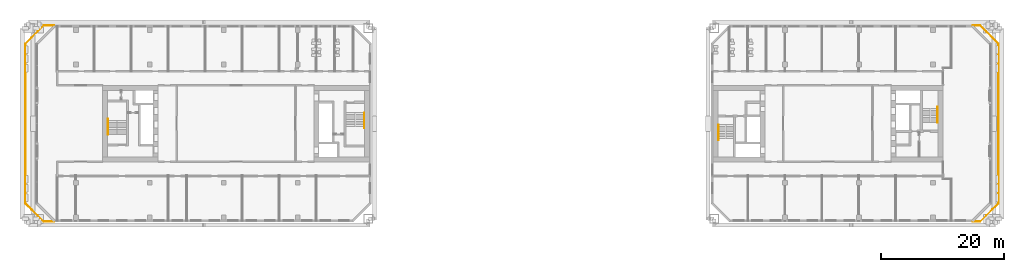
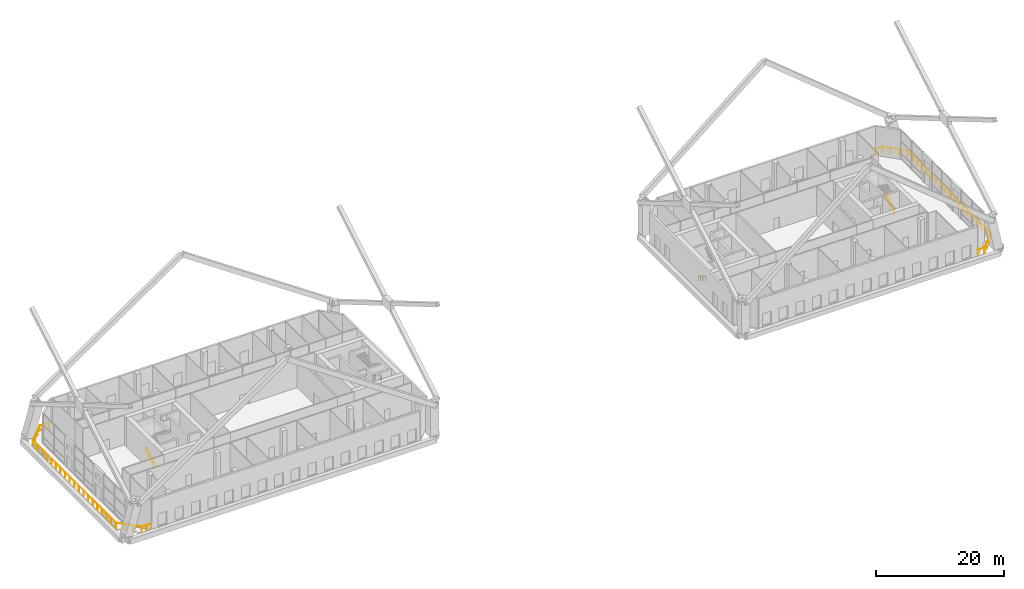
# One storey, part 19 of 20: 6 railings.
"""IFC4 building model written with IfcOpenShell, lengths in metres."""

from ifc_helpers import new_model, si_unit, direction, frame, origin, origin_2d, place, context, subcontext, project, spatial, circle, extrude, material, type_object, element, save


model = new_model("IFC4")

# Units and contexts
model_context = context("Model", 3, precision=1e-05, world=origin(), true_north=direction((0.0, 1.0)))
body_context = subcontext(model_context, "Body", "Model", "MODEL_VIEW")
ifc_project = project(units=[si_unit("LENGTHUNIT", "METRE"), si_unit("AREAUNIT", "SQUARE_METRE"), si_unit("VOLUMEUNIT", "CUBIC_METRE"), si_unit("PLANEANGLEUNIT", "RADIAN"), si_unit("MASSUNIT", "GRAM", prefix="KILO")], contexts=[model_context])

# Site, building, storey
site_placement = place(None, origin())
site = spatial("IfcSite", under=ifc_project, at=site_placement, CompositionType="ELEMENT")
building_placement = place(site_placement, origin())
building = spatial("IfcBuilding", under=site, at=building_placement, Name="Tuart Gate Housing", CompositionType="ELEMENT")
storey_placement = place(building_placement, frame((0.0, 0.0, 38.10009765625)))
storey = spatial("IfcBuildingStorey", under=building, at=storey_placement, Name="L10", CompositionType="ELEMENT", Elevation=38.10009765625)

# Railings
ifc_material_1 = material(Name="Stainless steel", Category="steel")
railing_type_1 = type_object("IfcRailingType", Name="Stair handrail 900", PredefinedType="HANDRAIL", material=ifc_material_1)
railing_1_placement = place(storey_placement, frame((74.780029296875, 71.77490234375, 0.172119140625)))
element("IfcRailing", 1, at=railing_1_placement, inside=storey, type_object=railing_type_1, Name="Stair handrail SA1.1", PredefinedType="HANDRAIL", context=body_context, shape_type="SweptSolid", body=[
    extrude(circle(Radius=0.02392578125, at=origin_2d()), frame((0.0, 0.0, 0.8759765625), z_axis=(0.0, -0.85178898068, 0.523885037382), x_axis=(1.0, 0.0, 0.0)), (0.0, 0.0, 1.0), 2.629638671875),
    extrude(circle(Radius=0.02392578125, at=origin_2d()), frame((0.0, -2.239990234375, 2.25341796875), z_axis=(0.0, -1.0, 0.0), x_axis=(1.0, 0.0, 0.0)), (0.0, 0.0, 1.0), 0.2998046875),
    extrude(circle(Radius=0.02099609375, at=origin_2d()), origin(), (0.0, 0.0, 1.0), 0.851806640625),
    extrude(circle(Radius=0.02099609375, at=origin_2d()), frame((0.0, -0.74658203125, 0.459228515625)), (0.0, 0.0, 1.0), 0.851806640625),
    extrude(circle(Radius=0.02099609375, at=origin_2d()), frame((0.0, -1.493408203125, 0.91845703125)), (0.0, 0.0, 1.0), 0.851806640625),
    extrude(circle(Radius=0.02099609375, at=origin_2d()), frame((0.0, -2.239990234375, 1.377685546875)), (0.0, 0.0, 1.0), 0.851806640625),
    extrude(circle(Radius=0.02099609375, at=origin_2d()), frame((0.0, -2.539794921875, 1.377685546875)), (0.0, 0.0, 1.0), 0.851806640625),
])
railing_2_placement = place(storey_placement, frame((33.219970703125, 68.22509765625, 0.172119140625)))
element("IfcRailing", 2, at=railing_2_placement, inside=storey, type_object=railing_type_1, Name="Stair handrail SA2.1", PredefinedType="HANDRAIL", context=body_context, shape_type="SweptSolid", body=[
    extrude(circle(Radius=0.02392578125, at=origin_2d()), frame((0.0, 0.0, 0.8759765625), z_axis=(0.0, 0.85178898068, 0.523885037382), x_axis=(-1.0, 0.0, 0.0)), (0.0, 0.0, 1.0), 2.629638671875),
    extrude(circle(Radius=0.02392578125, at=origin_2d()), frame((0.0, 2.239990234375, 2.25341796875), z_axis=(0.0, 1.0, 0.0), x_axis=(-1.0, 0.0, 0.0)), (0.0, 0.0, 1.0), 0.2998046875),
    extrude(circle(Radius=0.02099609375, at=origin_2d()), origin(), (0.0, 0.0, 1.0), 0.851806640625),
    extrude(circle(Radius=0.02099609375, at=origin_2d()), frame((0.0, 0.74658203125, 0.459228515625)), (0.0, 0.0, 1.0), 0.851806640625),
    extrude(circle(Radius=0.02099609375, at=origin_2d()), frame((0.0, 1.493408203125, 0.91845703125)), (0.0, 0.0, 1.0), 0.851806640625),
    extrude(circle(Radius=0.02099609375, at=origin_2d()), frame((0.0, 2.239990234375, 1.377685546875)), (0.0, 0.0, 1.0), 0.851806640625),
    extrude(circle(Radius=0.02099609375, at=origin_2d()), frame((0.0, 2.539794921875, 1.377685546875)), (0.0, 0.0, 1.0), 0.851806640625),
])
railing_3_placement = place(storey_placement, frame((132.219970703125, 69.824951171875, 0.172119140625)))
element("IfcRailing", 3, at=railing_3_placement, inside=storey, type_object=railing_type_1, Name="Stair handrail SB1.1", PredefinedType="HANDRAIL", context=body_context, shape_type="SweptSolid", body=[
    extrude(circle(Radius=0.02392578125, at=origin_2d()), frame((0.0, 0.0, 0.8759765625), z_axis=(0.0, -0.85178898068, 0.523885037382), x_axis=(1.0, 0.0, 0.0)), (0.0, 0.0, 1.0), 2.629638671875),
    extrude(circle(Radius=0.02392578125, at=origin_2d()), frame((0.0, -2.239990234375, 2.25341796875), z_axis=(0.0, -1.0, 0.0), x_axis=(1.0, 0.0, 0.0)), (0.0, 0.0, 1.0), 0.300048828125),
    extrude(circle(Radius=0.02099609375, at=origin_2d()), origin(), (0.0, 0.0, 1.0), 0.851806640625),
    extrude(circle(Radius=0.02099609375, at=origin_2d()), frame((0.0, -0.74658203125, 0.459228515625)), (0.0, 0.0, 1.0), 0.851806640625),
    extrude(circle(Radius=0.02099609375, at=origin_2d()), frame((0.0, -1.493408203125, 0.91845703125)), (0.0, 0.0, 1.0), 0.851806640625),
    extrude(circle(Radius=0.02099609375, at=origin_2d()), frame((0.0, -2.239990234375, 1.377685546875)), (0.0, 0.0, 1.0), 0.851806640625),
    extrude(circle(Radius=0.02099609375, at=origin_2d()), frame((0.0, -2.5400390625, 1.377685546875)), (0.0, 0.0, 1.0), 0.851806640625),
])
railing_4_placement = place(storey_placement, frame((167.780029296875, 70.175048828125, 0.172119140625)))
element("IfcRailing", 4, at=railing_4_placement, inside=storey, type_object=railing_type_1, Name="Stair handrail SB2.1", PredefinedType="HANDRAIL", context=body_context, shape_type="SweptSolid", body=[
    extrude(circle(Radius=0.02392578125, at=origin_2d()), frame((0.0, 0.0, 0.8759765625), z_axis=(0.0, 0.85178898068, 0.523885037382), x_axis=(-1.0, 0.0, 0.0)), (0.0, 0.0, 1.0), 2.629638671875),
    extrude(circle(Radius=0.02392578125, at=origin_2d()), frame((0.0, 2.239990234375, 2.25341796875), z_axis=(0.0, 1.0, 0.0), x_axis=(-1.0, 0.0, 0.0)), (0.0, 0.0, 1.0), 0.300048828125),
    extrude(circle(Radius=0.02099609375, at=origin_2d()), origin(), (0.0, 0.0, 1.0), 0.851806640625),
    extrude(circle(Radius=0.02099609375, at=origin_2d()), frame((0.0, 0.74658203125, 0.459228515625)), (0.0, 0.0, 1.0), 0.851806640625),
    extrude(circle(Radius=0.02099609375, at=origin_2d()), frame((0.0, 1.493408203125, 0.91845703125)), (0.0, 0.0, 1.0), 0.851806640625),
    extrude(circle(Radius=0.02099609375, at=origin_2d()), frame((0.0, 2.239990234375, 1.377685546875)), (0.0, 0.0, 1.0), 0.851806640625),
    extrude(circle(Radius=0.02099609375, at=origin_2d()), frame((0.0, 2.5400390625, 1.377685546875)), (0.0, 0.0, 1.0), 0.851806640625),
])
ifc_material_2 = material(Name="Steel and laminated glass", Category="steel")
railing_type_2 = type_object("IfcRailingType", Name="Terrace guard 1100", PredefinedType="GUARDRAIL", material=ifc_material_2)
railing_5_placement = place(storey_placement, frame((24.5, 85.89990234375, 0.0)))
element("IfcRailing", 5, at=railing_5_placement, inside=storey, type_object=railing_type_2, Name="Terrace guard A", PredefinedType="GUARDRAIL", context=body_context, shape_type="SweptSolid", body=[
    extrude(circle(Radius=0.02392578125, at=origin_2d()), frame((0.0, 0.0, 1.076171875), z_axis=(-1.0, 0.0, 0.0), x_axis=(0.0, -1.0, 0.0)), (0.0, 0.0, 1.0), 1.70849609375),
    extrude(circle(Radius=0.02392578125, at=origin_2d()), frame((-1.70849609375, 0.0, 1.076171875), z_axis=(-0.707106781187, -0.707106781187, 0.0), x_axis=(0.707106781187, -0.707106781187, 0.0)), (0.0, 0.0, 1.0), 4.15966796875),
    extrude(circle(Radius=0.02392578125, at=origin_2d()), frame((-4.64990234375, -2.94140625, 1.076171875), z_axis=(0.0, -1.0, 0.0), x_axis=(1.0, 0.0, 0.0)), (0.0, 0.0, 1.0), 25.9169921875),
    extrude(circle(Radius=0.02392578125, at=origin_2d()), frame((-4.64990234375, -28.8583984375, 1.076171875), z_axis=(0.707106781187, -0.707106781187, 0.0), x_axis=(0.707106781187, 0.707106781187, 0.0)), (0.0, 0.0, 1.0), 4.15966796875),
    extrude(circle(Radius=0.02392578125, at=origin_2d()), frame((-1.70849609375, -31.7998046875, 1.076171875), z_axis=(1.0, 0.0, 0.0), x_axis=(0.0, 1.0, 0.0)), (0.0, 0.0, 1.0), 1.70849609375),
    extrude(circle(Radius=0.02099609375, at=origin_2d()), origin(), (0.0, 0.0, 1.0), 1.052001953125),
    extrude(circle(Radius=0.02099609375, at=origin_2d()), frame((-0.854248046875, 0.0, 0.0)), (0.0, 0.0, 1.0), 1.052001953125),
    extrude(circle(Radius=0.02099609375, at=origin_2d()), frame((-1.70849609375, 0.0, 0.0)), (0.0, 0.0, 1.0), 1.052001953125),
    extrude(circle(Radius=0.02099609375, at=origin_2d()), frame((-2.68896484375, -0.98046875, 0.0)), (0.0, 0.0, 1.0), 1.052001953125),
    extrude(circle(Radius=0.02099609375, at=origin_2d()), frame((-3.66943359375, -1.9609375, 0.0)), (0.0, 0.0, 1.0), 1.052001953125),
    extrude(circle(Radius=0.02099609375, at=origin_2d()), frame((-4.64990234375, -2.94140625, 0.0)), (0.0, 0.0, 1.0), 1.052001953125),
    extrude(circle(Radius=0.02099609375, at=origin_2d()), frame((-4.64990234375, -4.38134765625, 0.0)), (0.0, 0.0, 1.0), 1.052001953125),
    extrude(circle(Radius=0.02099609375, at=origin_2d()), frame((-4.64990234375, -5.821044921875, 0.0)), (0.0, 0.0, 1.0), 1.052001953125),
    extrude(circle(Radius=0.02099609375, at=origin_2d()), frame((-4.64990234375, -7.260986328125, 0.0)), (0.0, 0.0, 1.0), 1.052001953125),
    extrude(circle(Radius=0.02099609375, at=origin_2d()), frame((-4.64990234375, -8.70068359375, 0.0)), (0.0, 0.0, 1.0), 1.052001953125),
    extrude(circle(Radius=0.02099609375, at=origin_2d()), frame((-4.64990234375, -10.140625, 0.0)), (0.0, 0.0, 1.0), 1.052001953125),
    extrude(circle(Radius=0.02099609375, at=origin_2d()), frame((-4.64990234375, -11.580322265625, 0.0)), (0.0, 0.0, 1.0), 1.052001953125),
    extrude(circle(Radius=0.02099609375, at=origin_2d()), frame((-4.64990234375, -13.020263671875, 0.0)), (0.0, 0.0, 1.0), 1.052001953125),
    extrude(circle(Radius=0.02099609375, at=origin_2d()), frame((-4.64990234375, -14.4599609375, 0.0)), (0.0, 0.0, 1.0), 1.052001953125),
    extrude(circle(Radius=0.02099609375, at=origin_2d()), frame((-4.64990234375, -15.89990234375, 0.0)), (0.0, 0.0, 1.0), 1.052001953125),
    extrude(circle(Radius=0.02099609375, at=origin_2d()), frame((-4.64990234375, -17.33984375, 0.0)), (0.0, 0.0, 1.0), 1.052001953125),
    extrude(circle(Radius=0.02099609375, at=origin_2d()), frame((-4.64990234375, -18.779541015625, 0.0)), (0.0, 0.0, 1.0), 1.052001953125),
    extrude(circle(Radius=0.02099609375, at=origin_2d()), frame((-4.64990234375, -20.219482421875, 0.0)), (0.0, 0.0, 1.0), 1.052001953125),
    extrude(circle(Radius=0.02099609375, at=origin_2d()), frame((-4.64990234375, -21.6591796875, 0.0)), (0.0, 0.0, 1.0), 1.052001953125),
    extrude(circle(Radius=0.02099609375, at=origin_2d()), frame((-4.64990234375, -23.09912109375, 0.0)), (0.0, 0.0, 1.0), 1.052001953125),
    extrude(circle(Radius=0.02099609375, at=origin_2d()), frame((-4.64990234375, -24.538818359375, 0.0)), (0.0, 0.0, 1.0), 1.052001953125),
    extrude(circle(Radius=0.02099609375, at=origin_2d()), frame((-4.64990234375, -25.978759765625, 0.0)), (0.0, 0.0, 1.0), 1.052001953125),
    extrude(circle(Radius=0.02099609375, at=origin_2d()), frame((-4.64990234375, -27.41845703125, 0.0)), (0.0, 0.0, 1.0), 1.052001953125),
    extrude(circle(Radius=0.02099609375, at=origin_2d()), frame((-4.64990234375, -28.8583984375, 0.0)), (0.0, 0.0, 1.0), 1.052001953125),
    extrude(circle(Radius=0.02099609375, at=origin_2d()), frame((-3.66943359375, -29.8388671875, 0.0)), (0.0, 0.0, 1.0), 1.052001953125),
    extrude(circle(Radius=0.02099609375, at=origin_2d()), frame((-2.68896484375, -30.8193359375, 0.0)), (0.0, 0.0, 1.0), 1.052001953125),
    extrude(circle(Radius=0.02099609375, at=origin_2d()), frame((-1.70849609375, -31.7998046875, 0.0)), (0.0, 0.0, 1.0), 1.052001953125),
    extrude(circle(Radius=0.02099609375, at=origin_2d()), frame((-0.854248046875, -31.7998046875, 0.0)), (0.0, 0.0, 1.0), 1.052001953125),
    extrude(circle(Radius=0.02099609375, at=origin_2d()), frame((0.0, -31.7998046875, 0.0)), (0.0, 0.0, 1.0), 1.052001953125),
])
railing_6_placement = place(storey_placement, frame((173.5, 54.10009765625, 0.0)))
element("IfcRailing", 6, at=railing_6_placement, inside=storey, type_object=railing_type_2, Name="Terrace guard B", PredefinedType="GUARDRAIL", context=body_context, shape_type="SweptSolid", body=[
    extrude(circle(Radius=0.02392578125, at=origin_2d()), frame((0.0, 0.0, 1.076171875), z_axis=(1.0, 0.0, 0.0), x_axis=(0.0, 1.0, 0.0)), (0.0, 0.0, 1.0), 1.20849609375),
    extrude(circle(Radius=0.02392578125, at=origin_2d()), frame((1.20849609375, 0.0, 1.076171875), z_axis=(0.707106781187, 0.707106781187, 0.0), x_axis=(-0.707106781187, 0.707106781187, 0.0)), (0.0, 0.0, 1.0), 4.15966796875),
    extrude(circle(Radius=0.02392578125, at=origin_2d()), frame((4.14990234375, 2.94140625, 1.076171875), z_axis=(0.0, 1.0, 0.0), x_axis=(-1.0, 0.0, 0.0)), (0.0, 0.0, 1.0), 25.9169921875),
    extrude(circle(Radius=0.02392578125, at=origin_2d()), frame((4.14990234375, 28.8583984375, 1.076171875), z_axis=(-0.707106781187, 0.707106781187, 0.0), x_axis=(-0.707106781187, -0.707106781187, 0.0)), (0.0, 0.0, 1.0), 4.15966796875),
    extrude(circle(Radius=0.02392578125, at=origin_2d()), frame((1.20849609375, 31.7998046875, 1.076171875), z_axis=(-1.0, 0.0, 0.0), x_axis=(0.0, -1.0, 0.0)), (0.0, 0.0, 1.0), 1.20849609375),
    extrude(circle(Radius=0.02099609375, at=origin_2d()), origin(), (0.0, 0.0, 1.0), 1.052001953125),
    extrude(circle(Radius=0.02099609375, at=origin_2d()), frame((1.20849609375, 0.0, 0.0)), (0.0, 0.0, 1.0), 1.052001953125),
    extrude(circle(Radius=0.02099609375, at=origin_2d()), frame((2.18896484375, 0.98046875, 0.0)), (0.0, 0.0, 1.0), 1.052001953125),
    extrude(circle(Radius=0.02099609375, at=origin_2d()), frame((3.16943359375, 1.9609375, 0.0)), (0.0, 0.0, 1.0), 1.052001953125),
    extrude(circle(Radius=0.02099609375, at=origin_2d()), frame((4.14990234375, 2.94140625, 0.0)), (0.0, 0.0, 1.0), 1.052001953125),
    extrude(circle(Radius=0.02099609375, at=origin_2d()), frame((4.14990234375, 4.38134765625, 0.0)), (0.0, 0.0, 1.0), 1.052001953125),
    extrude(circle(Radius=0.02099609375, at=origin_2d()), frame((4.14990234375, 5.821044921875, 0.0)), (0.0, 0.0, 1.0), 1.052001953125),
    extrude(circle(Radius=0.02099609375, at=origin_2d()), frame((4.14990234375, 7.260986328125, 0.0)), (0.0, 0.0, 1.0), 1.052001953125),
    extrude(circle(Radius=0.02099609375, at=origin_2d()), frame((4.14990234375, 8.70068359375, 0.0)), (0.0, 0.0, 1.0), 1.052001953125),
    extrude(circle(Radius=0.02099609375, at=origin_2d()), frame((4.14990234375, 10.140625, 0.0)), (0.0, 0.0, 1.0), 1.052001953125),
    extrude(circle(Radius=0.02099609375, at=origin_2d()), frame((4.14990234375, 11.580322265625, 0.0)), (0.0, 0.0, 1.0), 1.052001953125),
    extrude(circle(Radius=0.02099609375, at=origin_2d()), frame((4.14990234375, 13.020263671875, 0.0)), (0.0, 0.0, 1.0), 1.052001953125),
    extrude(circle(Radius=0.02099609375, at=origin_2d()), frame((4.14990234375, 14.4599609375, 0.0)), (0.0, 0.0, 1.0), 1.052001953125),
    extrude(circle(Radius=0.02099609375, at=origin_2d()), frame((4.14990234375, 15.89990234375, 0.0)), (0.0, 0.0, 1.0), 1.052001953125),
    extrude(circle(Radius=0.02099609375, at=origin_2d()), frame((4.14990234375, 17.33984375, 0.0)), (0.0, 0.0, 1.0), 1.052001953125),
    extrude(circle(Radius=0.02099609375, at=origin_2d()), frame((4.14990234375, 18.779541015625, 0.0)), (0.0, 0.0, 1.0), 1.052001953125),
    extrude(circle(Radius=0.02099609375, at=origin_2d()), frame((4.14990234375, 20.219482421875, 0.0)), (0.0, 0.0, 1.0), 1.052001953125),
    extrude(circle(Radius=0.02099609375, at=origin_2d()), frame((4.14990234375, 21.6591796875, 0.0)), (0.0, 0.0, 1.0), 1.052001953125),
    extrude(circle(Radius=0.02099609375, at=origin_2d()), frame((4.14990234375, 23.09912109375, 0.0)), (0.0, 0.0, 1.0), 1.052001953125),
    extrude(circle(Radius=0.02099609375, at=origin_2d()), frame((4.14990234375, 24.538818359375, 0.0)), (0.0, 0.0, 1.0), 1.052001953125),
    extrude(circle(Radius=0.02099609375, at=origin_2d()), frame((4.14990234375, 25.978759765625, 0.0)), (0.0, 0.0, 1.0), 1.052001953125),
    extrude(circle(Radius=0.02099609375, at=origin_2d()), frame((4.14990234375, 27.41845703125, 0.0)), (0.0, 0.0, 1.0), 1.052001953125),
    extrude(circle(Radius=0.02099609375, at=origin_2d()), frame((4.14990234375, 28.8583984375, 0.0)), (0.0, 0.0, 1.0), 1.052001953125),
    extrude(circle(Radius=0.02099609375, at=origin_2d()), frame((3.16943359375, 29.8388671875, 0.0)), (0.0, 0.0, 1.0), 1.052001953125),
    extrude(circle(Radius=0.02099609375, at=origin_2d()), frame((2.18896484375, 30.8193359375, 0.0)), (0.0, 0.0, 1.0), 1.052001953125),
    extrude(circle(Radius=0.02099609375, at=origin_2d()), frame((1.20849609375, 31.7998046875, 0.0)), (0.0, 0.0, 1.0), 1.052001953125),
    extrude(circle(Radius=0.02099609375, at=origin_2d()), frame((0.0, 31.7998046875, 0.0)), (0.0, 0.0, 1.0), 1.052001953125),
])

save(model, "model.ifc")
